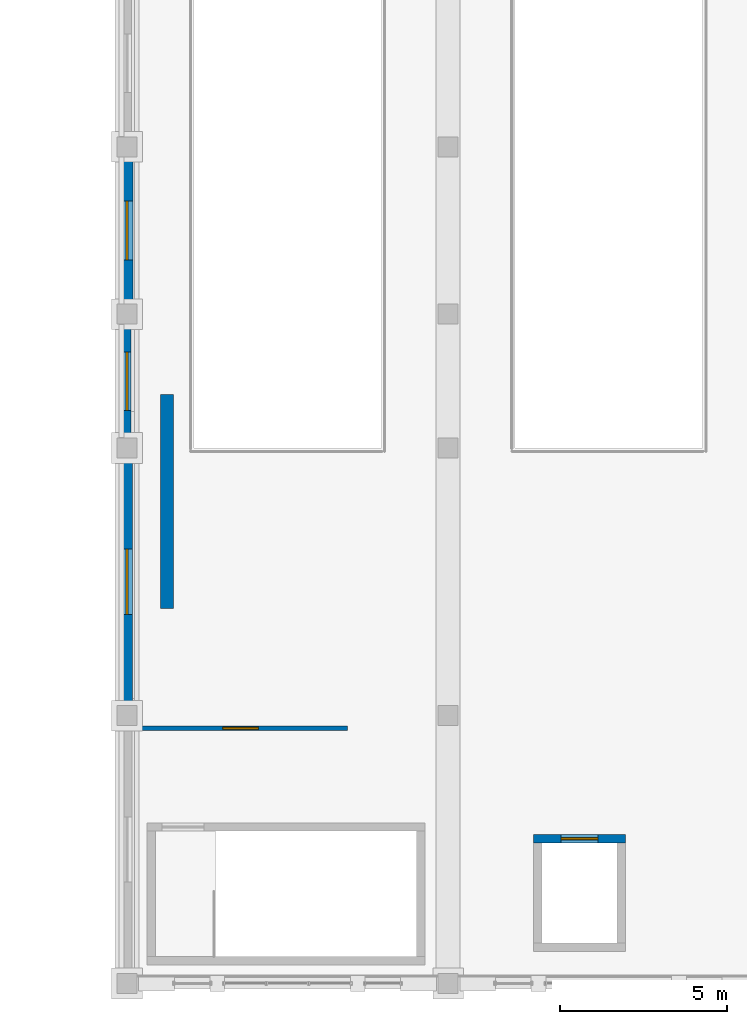
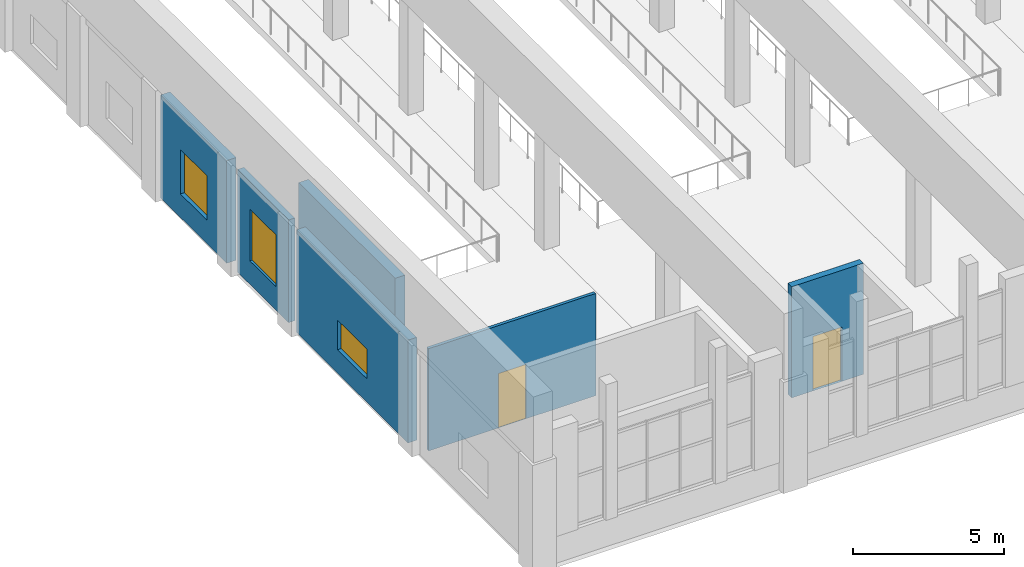
# One storey, part 30 of 46: 6 walls, 3 windows, 2 doors, 5 openings.
"""IFC4 building model written with IfcOpenShell, lengths in metres."""

import ifcopenshell
import ifcopenshell.guid

model = None  # the IFC model being written
_history = None  # IfcOwnerHistory: only IFC2X3 demands one
_inside = {}  # id of a spatial element -> (the spatial element, [elements in it])
_under = {}  # id of a project, library or spatial element -> (it, [spatial elements below it])
_declared = {}  # id of a project -> (the project, [libraries it declares])
_typed = {}  # id of a type object -> (the type object, [elements of that type])
_made_of = {}  # id of a material, layer set ... -> (it, [elements and type objects made of it])


def new_model(schema):
    """Start an empty IFC model of exactly this schema.

    Asked for "IFC4X3", IfcOpenShell would pick the latest addendum, in which some entities
    have other attributes; the version numbers below select the first issue.
    IFC2X3 requires an IfcOwnerHistory on every rooted entity: one is made here for all.
    """
    global model, _history
    if schema == "IFC4X3":
        model = ifcopenshell.file(schema_version=(4, 3, 0, 0))
    else:
        model = ifcopenshell.file(schema=schema)
    _inside.clear()
    _under.clear()
    _declared.clear()
    _typed.clear()
    _made_of.clear()
    _history = None
    if model.schema == "IFC2X3":
        org = make("IfcOrganization", Name="unknown")
        user = make(
            "IfcPersonAndOrganization",
            ThePerson=make("IfcPerson", FamilyName="unknown"),
            TheOrganization=org,
        )
        app = make(
            "IfcApplication",
            ApplicationDeveloper=org,
            Version="unknown",
            ApplicationFullName="unknown",
            ApplicationIdentifier="unknown",
        )
        _history = make(
            "IfcOwnerHistory",
            OwningUser=user,
            OwningApplication=app,
            ChangeAction="ADDED",
            CreationDate=0,
        )
    return model


def make(cls, **values):
    """One entity of the class cls with the attributes given. An attribute that is None is left unset."""
    return model.create_entity(
        cls, **{name: value for name, value in values.items() if value is not None}
    )


def rooted(cls, **values):
    """An entity with a GlobalId (a new one), such as an element, a storey or a relation."""
    return make(cls, GlobalId=ifcopenshell.guid.new(), OwnerHistory=_history, **values)


def si_unit(unit_type, name, prefix=None):
    """IfcSIUnit, for example si_unit("LENGTHUNIT", "METRE", prefix="MILLI")."""
    return make("IfcSIUnit", UnitType=unit_type, Prefix=prefix, Name=name)


def assignment(units):
    """IfcUnitAssignment: the units of a project."""
    return None if units is None else make("IfcUnitAssignment", Units=units)


def point(xyz):
    """IfcCartesianPoint."""
    return None if xyz is None else make("IfcCartesianPoint", Coordinates=xyz)


def direction(xyz):
    """IfcDirection."""
    return None if xyz is None else make("IfcDirection", DirectionRatios=xyz)


def frame(location, z_axis=None, x_axis=None):
    """IfcAxis2Placement3D, a coordinate frame: its origin and axes. An axis left out is left unset."""
    return make(
        "IfcAxis2Placement3D",
        Location=point(location),
        Axis=direction(z_axis),
        RefDirection=direction(x_axis),
    )


def frame_2d(location, x_axis=None):
    """IfcAxis2Placement2D, a coordinate frame in the plane: its origin and x axis."""
    return make(
        "IfcAxis2Placement2D", Location=point(location), RefDirection=direction(x_axis)
    )


def origin():
    """The frame at (0, 0, 0) with its axes left unset."""
    return frame((0.0, 0.0, 0.0))


def place(relative_to, where):
    """IfcLocalPlacement: puts the frame where relative to a parent placement (None: the world)."""
    return make(
        "IfcLocalPlacement", PlacementRelTo=relative_to, RelativePlacement=where
    )


def context(
    kind, dimensions, precision=None, world=None, true_north=None, identifier=None
):
    """IfcGeometricRepresentationContext, for example the 3D "Model" context."""
    return make(
        "IfcGeometricRepresentationContext",
        ContextIdentifier=identifier,
        ContextType=kind,
        CoordinateSpaceDimension=dimensions,
        Precision=precision,
        WorldCoordinateSystem=world,
        TrueNorth=true_north,
    )


def subcontext(parent, identifier, kind, view, scale=None):
    """IfcGeometricRepresentationSubContext, for example "Body" below "Model"."""
    return make(
        "IfcGeometricRepresentationSubContext",
        ContextIdentifier=identifier,
        ContextType=kind,
        ParentContext=parent,
        TargetScale=scale,
        TargetView=view,
    )


def project(units=None, contexts=None):
    """IfcProject with its units and contexts."""
    return rooted(
        "IfcProject",
        Name="project",
        RepresentationContexts=contexts,
        UnitsInContext=assignment(units),
    )


def spatial(cls, under=None, at=None, **own):
    """A site, building, storey or space (cls), placed at a placement, below another one or the project."""
    s = rooted(cls, ObjectPlacement=at, **own)
    if under is not None:
        _under.setdefault(under.id(), (under, []))[1].append(s)
    return s


def profile(cls, at=None, kind="AREA", **sizes):
    """A parametric profile (cls). Its sizes go by their IFC names, for example OverallWidth=200.0."""
    return make(cls, ProfileType=kind, Position=at, **sizes)


def rectangle(**sizes):
    """IfcRectangleProfileDef."""
    return profile("IfcRectangleProfileDef", **sizes)


def extrude(swept, where, along, depth):
    """IfcExtrudedAreaSolid: the profile swept, set in the frame where, extruded along a direction by depth."""
    return make(
        "IfcExtrudedAreaSolid",
        SweptArea=swept,
        Position=where,
        ExtrudedDirection=direction(along),
        Depth=depth,
    )


def shape(context_of_items, identifier, shape_type, items):
    """IfcShapeRepresentation: the items that make up one representation, for example the "Body"."""
    return make(
        "IfcShapeRepresentation",
        ContextOfItems=context_of_items,
        RepresentationIdentifier=identifier,
        RepresentationType=shape_type,
        Items=items,
    )


def material(Name=None, Category=None):
    """IfcMaterial."""
    return make("IfcMaterial", Name=Name, Category=Category)


def layer(
    of_material, thickness, ventilated=None, Name=None, Category=None, Priority=None
):
    """IfcMaterialLayer: one layer of a wall or slab, of a material (None: an air gap)."""
    return make(
        "IfcMaterialLayer",
        Material=of_material,
        LayerThickness=thickness,
        IsVentilated=ventilated,
        Name=Name,
        Category=Category,
        Priority=Priority,
    )


def layer_set(layers, Name=None):
    """IfcMaterialLayerSet."""
    return make("IfcMaterialLayerSet", MaterialLayers=layers, LayerSetName=Name)


def made_of(thing, what):
    """Note that an element or type object is made of a material, layer set ...; save() writes the relation."""
    if what is not None:
        _made_of.setdefault(what.id(), (what, []))[1].append(thing)
    return thing


def type_object(cls, material=None, **own):
    """A type object (cls), such as IfcWallType, which elements share."""
    return made_of(rooted(cls, **own), material)


def element(
    cls,
    number,
    at=None,
    inside=None,
    cuts=None,
    type_object=None,
    material=None,
    context=None,
    identifier="Body",
    shape_type=None,
    held_by="IfcProductDefinitionShape",
    body=None,
    shapes=None,
    **own,
):
    """One element of the class cls, such as IfcWall. Its Tag is "e" and its number.

    at: its placement. inside: the storey or other place that contains it. cuts: it is an
    opening in that element (IfcRelVoidsElement). A single representation is given by context,
    identifier, shape_type and body (its items); several are given by shapes. held_by: the class
    of the entity that holds the representations. save() writes the other relations.
    """
    e = rooted(cls, Tag="e%d" % number, ObjectPlacement=at, **own)
    if body is not None:
        shapes = [shape(context, identifier, shape_type, body)]
    if shapes is not None:
        e.Representation = make(held_by, Representations=shapes)
    if inside is not None:
        _inside.setdefault(inside.id(), (inside, []))[1].append(e)
    if cuts is not None:
        rooted(
            "IfcRelVoidsElement", RelatingBuildingElement=cuts, RelatedOpeningElement=e
        )
    if type_object is not None:
        _typed.setdefault(type_object.id(), (type_object, []))[1].append(e)
    return made_of(e, material)


def fill(opening, filler):
    """IfcRelFillsElement: the door or window that sits in an opening."""
    return rooted(
        "IfcRelFillsElement",
        RelatingOpeningElement=opening,
        RelatedBuildingElement=filler,
    )


def aggregate(whole, parts):
    """IfcRelAggregates: a whole, such as a stair, and the parts it consists of."""
    return rooted("IfcRelAggregates", RelatingObject=whole, RelatedObjects=parts)


def save(model, path):
    """Write the relations noted so far, then the file.

    IfcRelAggregates (storeys below a building ...), IfcRelContainedInSpatialStructure (elements
    in a storey), IfcRelDefinesByType, IfcRelAssociatesMaterial and IfcRelDeclares: one each for
    every whole, place, type object, material and project.
    """
    for whole, parts in _under.values():
        aggregate(whole, parts)
    for where, things in _inside.values():
        rooted(
            "IfcRelContainedInSpatialStructure",
            RelatedElements=things,
            RelatingStructure=where,
        )
    for kind, things in _typed.values():
        rooted("IfcRelDefinesByType", RelatedObjects=things, RelatingType=kind)
    for what, things in _made_of.values():
        rooted("IfcRelAssociatesMaterial", RelatedObjects=things, RelatingMaterial=what)
    for by, libraries in _declared.values():
        rooted("IfcRelDeclares", RelatingContext=by, RelatedDefinitions=libraries)
    model.write(path)


model = new_model("IFC4")

# Units and contexts
model_context = context("Model", 3, precision=1e-05, world=origin(), true_north=direction((0.0, 1.0)))
body_context = subcontext(model_context, "Body", "Model", "MODEL_VIEW")
ifc_project = project(units=[si_unit("LENGTHUNIT", "METRE"), si_unit("AREAUNIT", "SQUARE_METRE"), si_unit("VOLUMEUNIT", "CUBIC_METRE"), si_unit("PLANEANGLEUNIT", "RADIAN"), si_unit("MASSUNIT", "GRAM", prefix="KILO")], contexts=[model_context])

# Site, building, storey
site_placement = place(None, origin())
site = spatial("IfcSite", under=ifc_project, at=site_placement, CompositionType="ELEMENT")
building_placement = place(site_placement, origin())
building = spatial("IfcBuilding", under=site, at=building_placement, Name="Mavantir Sound Aquarium", CompositionType="ELEMENT")
storey_placement = place(building_placement, frame((0.0, 0.0, 15.300048828125)))
storey = spatial("IfcBuildingStorey", under=building, at=storey_placement, Name="L03", CompositionType="ELEMENT", Elevation=15.300048828125)

# Wall, opening, window
ifc_material_1 = material(Name="Coral-Buff Architectural Precast Concrete C40/50", Category="concrete")
ifc_layer_1 = layer(ifc_material_1, 0.340087890625, Name="Coral-Buff Architectural Precast Concrete C40/50")
ifc_layer_set_1 = layer_set([ifc_layer_1], Name="Coral-Buff Architectural Precast Concrete C40/50")
wall_type_1 = type_object("IfcWallType", Name="EW-CORAL-340", PredefinedType="SOLIDWALL", material=ifc_layer_set_1)
wall_1_placement = place(storey_placement, frame((108.0, 56.491943359375, 0.0), z_axis=(0.0, 0.0, 1.0), x_axis=(0.0, -1.0, 0.0)))
wall_1 = element("IfcWall", 1, at=wall_1_placement, inside=storey, type_object=wall_type_1, Name="L03 exterior facade wall EW-01 361", PredefinedType="SOLIDWALL", context=body_context, shape_type="SweptSolid", body=[
    extrude(rectangle(XDim=7.384033203125, YDim=0.340087890625, at=frame_2d((3.69189453125, 0.0))), origin(), (0.0, 0.0, 1.0), 4.159912109375),
])
opening_1_placement = place(wall_1_placement, frame((2.717041015625, 0.0, 0.949951171875)))
opening_1 = element("IfcOpeningElement", 2, at=opening_1_placement, cuts=wall_1, Name="Opening W-21", PredefinedType="OPENING", context=body_context, shape_type="SweptSolid", body=[
    extrude(rectangle(XDim=1.949951171875, YDim=1.199951171875, at=frame_2d((0.97509765625, 0.60009765625))), frame((0.0, 0.18017578125, 0.0), z_axis=(0.0, -1.0, 0.0), x_axis=(1.0, 0.0, 0.0)), (0.0, 0.0, 1.0), 0.360107421875),
])
ifc_material_2 = material(Name="Thermally Broken Aluminium and Low-E Glass", Category="aluminium")
window_type_1 = type_object("IfcWindowType", Name="WIN-EXT-21", PartitioningType="DOUBLE_PANEL_VERTICAL", PredefinedType="WINDOW", material=ifc_material_2)
window_1_placement = place(opening_1_placement, origin())
window_1 = element("IfcWindow", 3, at=window_1_placement, inside=storey, type_object=window_type_1, Name="L03 facade window W-21 165", OverallHeight=1.199951171875, OverallWidth=1.949951171875, PartitioningType="SINGLE_PANEL", PredefinedType="WINDOW", context=body_context, shape_type="SweptSolid", body=[
    extrude(rectangle(XDim=1.949951171875, YDim=1.199951171875, at=frame_2d((0.97509765625, 0.60009765625))), frame((0.0, 0.030029296875, 0.0), z_axis=(0.0, -1.0, 0.0), x_axis=(1.0, 0.0, 0.0)), (0.0, 0.0, 1.0), 0.06005859375),
])
fill(opening_1, window_1)

ifc_material_3 = material(Name="Architectural Precast Concrete C40/50", Category="concrete")
ifc_layer_2 = layer(ifc_material_3, 0.239990234375, Name="Architectural Precast Concrete C40/50")
ifc_layer_set_2 = layer_set([ifc_layer_2], Name="Architectural Precast Concrete C40/50")
wall_type_2 = type_object("IfcWallType", Name="EW-PRE-240", PredefinedType="SOLIDWALL", material=ifc_layer_set_2)
wall_2_placement = place(storey_placement, frame((108.0, 60.491943359375, 0.0), z_axis=(0.0, 0.0, 1.0), x_axis=(0.0, -1.0, 0.0)))
wall_2 = element("IfcWall", 4, at=wall_2_placement, inside=storey, type_object=wall_type_2, Name="L03 exterior facade wall EW-06 360", PredefinedType="SOLIDWALL", context=body_context, shape_type="SweptSolid", body=[
    extrude(rectangle(XDim=3.384033203125, YDim=0.239990234375, at=frame_2d((1.69189453125, 0.0))), origin(), (0.0, 0.0, 1.0), 4.159912109375),
])
opening_2_placement = place(wall_2_placement, frame((0.81689453125, 0.0, 0.949951171875)))
opening_2 = element("IfcOpeningElement", 5, at=opening_2_placement, cuts=wall_2, Name="Opening W-20", PredefinedType="OPENING", context=body_context, shape_type="SweptSolid", body=[
    extrude(rectangle(XDim=1.75, YDim=2.10009765625, at=frame_2d((0.875, 1.050048828125))), frame((0.0, 0.1298828125, 0.0), z_axis=(0.0, -1.0, 0.0), x_axis=(1.0, 0.0, 0.0)), (0.0, 0.0, 1.0), 0.260009765625),
])
window_type_2 = type_object("IfcWindowType", Name="WIN-EXT-20", PartitioningType="DOUBLE_PANEL_VERTICAL", PredefinedType="WINDOW", material=ifc_material_2)
window_2_placement = place(opening_2_placement, origin())
window_2 = element("IfcWindow", 6, at=window_2_placement, inside=storey, type_object=window_type_2, Name="L03 facade window W-20 164", OverallHeight=2.10009765625, OverallWidth=1.75, PartitioningType="SINGLE_PANEL", PredefinedType="WINDOW", context=body_context, shape_type="SweptSolid", body=[
    extrude(rectangle(XDim=1.75, YDim=2.10009765625, at=frame_2d((0.875, 1.050048828125))), frame((0.0, 0.030029296875, 0.0), z_axis=(0.0, -1.0, 0.0), x_axis=(1.0, 0.0, 0.0)), (0.0, 0.0, 1.0), 0.06005859375),
])
fill(opening_2, window_2)

ifc_layer_3 = layer(ifc_material_1, 0.360107421875, Name="Coral-Buff Architectural Precast Concrete C40/50")
ifc_layer_set_3 = layer_set([ifc_layer_3], Name="Coral-Buff Architectural Precast Concrete C40/50")
wall_type_3 = type_object("IfcWallType", Name="EW-PRE-360", PredefinedType="SOLIDWALL", material=ifc_layer_set_3)
wall_3_placement = place(storey_placement, frame((108.0, 65.491943359375, 0.0), z_axis=(0.0, 0.0, 1.0), x_axis=(0.0, -1.0, 0.0)))
wall_3 = element("IfcWall", 7, at=wall_3_placement, inside=storey, type_object=wall_type_3, Name="L03 exterior facade wall EW-05 359", PredefinedType="SOLIDWALL", context=body_context, shape_type="SweptSolid", body=[
    extrude(rectangle(XDim=4.384033203125, YDim=0.360107421875, at=frame_2d((2.19189453125, 0.0))), origin(), (0.0, 0.0, 1.0), 4.159912109375),
])
opening_3_placement = place(wall_3_placement, frame((1.31689453125, 0.0, 0.949951171875)))
opening_3 = element("IfcOpeningElement", 8, at=opening_3_placement, cuts=wall_3, Name="Opening W-19", PredefinedType="OPENING", context=body_context, shape_type="SweptSolid", body=[
    extrude(rectangle(XDim=1.75, YDim=1.800048828125, at=frame_2d((0.875, 0.89990234375))), frame((0.0, 0.18994140625, 0.0), z_axis=(0.0, -1.0, 0.0), x_axis=(1.0, 0.0, 0.0)), (0.0, 0.0, 1.0), 0.380126953125),
])
window_type_3 = type_object("IfcWindowType", Name="WIN-EXT-19", PartitioningType="DOUBLE_PANEL_VERTICAL", PredefinedType="WINDOW", material=ifc_material_2)
window_3_placement = place(opening_3_placement, origin())
window_3 = element("IfcWindow", 9, at=window_3_placement, inside=storey, type_object=window_type_3, Name="L03 facade window W-19 163", OverallHeight=1.800048828125, OverallWidth=1.75, PartitioningType="SINGLE_PANEL", PredefinedType="WINDOW", context=body_context, shape_type="SweptSolid", body=[
    extrude(rectangle(XDim=1.75, YDim=1.800048828125, at=frame_2d((0.875, 0.89990234375))), frame((0.0, 0.030029296875, 0.0), z_axis=(0.0, -1.0, 0.0), x_axis=(1.0, 0.0, 0.0)), (0.0, 0.0, 1.0), 0.06005859375),
])
fill(opening_3, window_3)

# Wall, opening, door
ifc_material_4 = material(Name="Lightweight Partition Framing", Category="gypsum")
ifc_layer_4 = layer(ifc_material_4, 0.1201171875, Name="Lightweight Partition Framing")
ifc_layer_set_4 = layer_set([ifc_layer_4], Name="Lightweight Partition Framing")
wall_type_4 = type_object("IfcWallType", Name="IW-PART-120", PredefinedType="PARTITIONING", material=ifc_layer_set_4)
wall_4_placement = place(storey_placement, frame((108.198486328125, 48.425048828125, 0.0), z_axis=(0.0, 0.0, 1.0), x_axis=(1.0, 0.0, 0.0)))
wall_4 = element("IfcWall", 10, at=wall_4_placement, inside=storey, type_object=wall_type_4, Name="L03 Leatherback Turtle Diocletian Lunette Scalloped Gallery entry partition", PredefinedType="PARTITIONING", context=body_context, shape_type="SweptSolid", body=[
    extrude(rectangle(XDim=6.39990234375, YDim=0.1201171875, at=frame_2d((3.199951171875, 0.0))), origin(), (0.0, 0.0, 1.0), 4.139892578125),
])
opening_4_placement = place(wall_4_placement, frame((2.669921875, 0.0, 0.0)))
opening_4 = element("IfcOpeningElement", 11, at=opening_4_placement, cuts=wall_4, Name="Opening ID-05", PredefinedType="OPENING", context=body_context, shape_type="SweptSolid", body=[
    extrude(rectangle(XDim=1.06005859375, YDim=2.199951171875, at=frame_2d((0.530029296875, 1.10009765625))), frame((0.0, 0.070068359375, 0.0), z_axis=(0.0, -1.0, 0.0), x_axis=(1.0, 0.0, 0.0)), (0.0, 0.0, 1.0), 0.14013671875),
])
ifc_material_5 = material(Name="Solid-Core Marine Hardwood and Vision-Panel Door", Category="wood")
door_type_1 = type_object("IfcDoorType", Name="DR-INT-05", OperationType="NOTDEFINED", PredefinedType="DOOR", material=ifc_material_5)
door_1_placement = place(opening_4_placement, origin())
door_1 = element("IfcDoor", 12, at=door_1_placement, inside=storey, type_object=door_type_1, Name="Leatherback Turtle Diocletian Lunette Scalloped Gallery door", OperationType="SINGLE_SWING_LEFT", OverallHeight=2.199951171875, OverallWidth=1.06005859375, PredefinedType="DOOR", context=body_context, shape_type="SweptSolid", body=[
    extrude(rectangle(XDim=1.06005859375, YDim=2.199951171875, at=frame_2d((0.530029296875, 1.10009765625))), frame((0.0, 0.02490234375, 0.0), z_axis=(0.0, -1.0, 0.0), x_axis=(1.0, 0.0, 0.0)), (0.0, 0.0, 1.0), 0.050048828125),
])
fill(opening_4, door_1)

ifc_material_6 = material(Name="Concrete C40/50", Category="concrete")
ifc_layer_5 = layer(ifc_material_6, 0.25, Name="Concrete C40/50")
ifc_layer_set_5 = layer_set([ifc_layer_5], Name="Concrete C40/50")
wall_type_5 = type_object("IfcWallType", Name="IW-SHAFT-250", PredefinedType="SHEAR", material=ifc_layer_set_5)
wall_5_placement = place(storey_placement, frame((120.14990234375, 45.125, 0.0), z_axis=(0.0, 0.0, 1.0), x_axis=(1.0, 0.0, 0.0)))
wall_5 = element("IfcWall", 13, at=wall_5_placement, inside=storey, type_object=wall_type_5, Name="L03 lift LC4 shaft wall N", PredefinedType="SHEAR", context=body_context, shape_type="SweptSolid", body=[
    extrude(rectangle(XDim=2.75, YDim=0.25, at=frame_2d((1.375, 0.0))), origin(), (0.0, 0.0, 1.0), 4.5),
])
opening_5_placement = place(wall_5_placement, frame((0.824951171875, 0.0, 0.0)))
opening_5 = element("IfcOpeningElement", 14, at=opening_5_placement, cuts=wall_5, Name="Opening LD-02", PredefinedType="OPENING", context=body_context, shape_type="SweptSolid", body=[
    extrude(rectangle(XDim=1.10009765625, YDim=2.199951171875, at=frame_2d((0.550048828125, 1.10009765625))), frame((0.0, 0.135009765625, 0.0), z_axis=(0.0, -1.0, 0.0), x_axis=(1.0, 0.0, 0.0)), (0.0, 0.0, 1.0), 0.27001953125),
])
ifc_material_7 = material(Name="Stainless Steel 316 Sliding Lift Landing Door", Category="steel")
door_type_2 = type_object("IfcDoorType", Name="DR-LD-110", OperationType="NOTDEFINED", PredefinedType="DOOR", material=ifc_material_7)
door_2_placement = place(opening_5_placement, origin())
door_2 = element("IfcDoor", 15, at=door_2_placement, inside=storey, type_object=door_type_2, Name="Lift LC4 sliding landing door (L03)", OperationType="DOUBLE_DOOR_SLIDING", OverallHeight=2.199951171875, OverallWidth=1.10009765625, PredefinedType="DOOR", context=body_context, shape_type="SweptSolid", body=[
    extrude(rectangle(XDim=1.10009765625, YDim=2.199951171875, at=frame_2d((0.550048828125, 1.10009765625))), frame((0.0, 0.02490234375, 0.0), z_axis=(0.0, -1.0, 0.0), x_axis=(1.0, 0.0, 0.0)), (0.0, 0.0, 1.0), 0.050048828125),
])
fill(opening_5, door_2)

# Wall
ifc_layer_6 = layer(ifc_material_6, 0.3798828125, Name="Concrete C40/50")
ifc_layer_set_6 = layer_set([ifc_layer_6], Name="Concrete C40/50")
wall_type_6 = type_object("IfcWallType", Name="SW-SHR-380", PredefinedType="SHEAR", material=ifc_layer_set_6)
wall_6_placement = place(storey_placement, frame((109.199951171875, 52.0, 0.0), z_axis=(0.0, 0.0, 1.0), x_axis=(0.0, 1.0, 0.0)))
element("IfcWall", 16, at=wall_6_placement, inside=storey, type_object=wall_type_6, Name="L03 special RC shear wall 29 (V4)", PredefinedType="SHEAR", context=body_context, shape_type="SweptSolid", body=[
    extrude(rectangle(XDim=6.39990234375, YDim=0.3798828125, at=frame_2d((3.199951171875, 0.0))), origin(), (0.0, 0.0, 1.0), 4.5),
])

save(model, "model.ifc")
